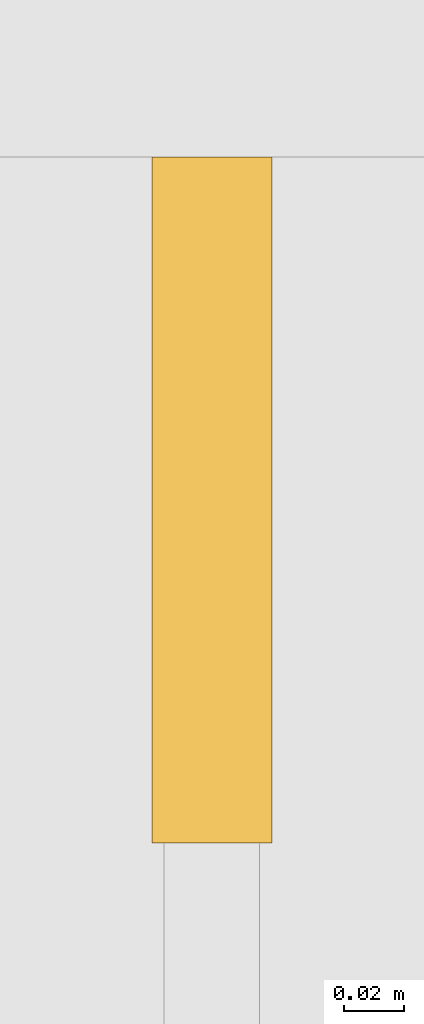
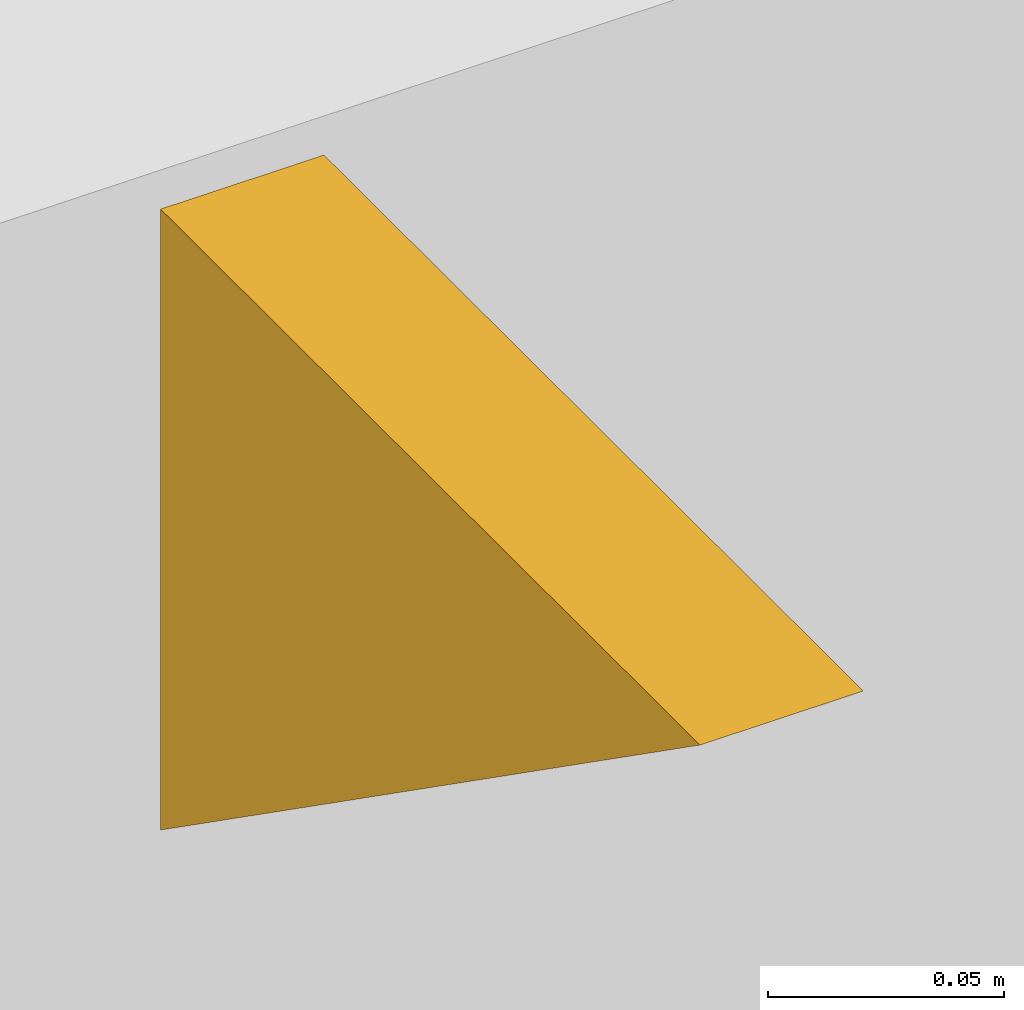
# One storey, part 14 of 17: 1 covering.
"""IFC4 building model written with IfcOpenShell, lengths in metres."""

from ifc_helpers import new_model, si_unit, direction, frame, origin, place, context, subcontext, project, spatial, polyline, outline, extrude, material, layer, layer_set, type_object, element, save


model = new_model("IFC4")

# Units and contexts
model_context = context("Model", 3, precision=1e-05, world=origin(), true_north=direction((0.0, 1.0)))
body_context = subcontext(model_context, "Body", "Model", "MODEL_VIEW")
ifc_project = project(units=[si_unit("LENGTHUNIT", "METRE"), si_unit("AREAUNIT", "SQUARE_METRE"), si_unit("VOLUMEUNIT", "CUBIC_METRE"), si_unit("PLANEANGLEUNIT", "RADIAN"), si_unit("MASSUNIT", "GRAM", prefix="KILO")], contexts=[model_context])

# Site, building, storey
site_placement = place(None, origin())
site = spatial("IfcSite", under=ifc_project, at=site_placement, CompositionType="ELEMENT")
building_placement = place(site_placement, origin())
building = spatial("IfcBuilding", under=site, at=building_placement, Name="Malebo Sky Hospital", CompositionType="ELEMENT")
storey_placement = place(building_placement, frame((0.0, 0.0, 185.0)))
storey = spatial("IfcBuildingStorey", under=building, at=storey_placement, Name="L44", CompositionType="ELEMENT", Elevation=185.0)

# Covering
ifc_material = material(Name="Anodised aluminium, natural silver insulated infill panel", Category="aluminium")
ifc_layer = layer(ifc_material, 0.0400390625)
ifc_layer_set = layer_set([ifc_layer], Name="BRACE INFILL PANEL 40")
covering_type = type_object("IfcCoveringType", Name="BRACE INFILL PANEL 40", PredefinedType="CLADDING", material=ifc_layer_set)
covering_placement = place(storey_placement, frame((37.425048828125, 67.847900390625, 3.8291015625), z_axis=(0.0, 0.0, 1.0), x_axis=(0.0, 1.0, 0.0)))
element("IfcCovering", 1, at=covering_placement, inside=storey, type_object=covering_type, Name="Brace infill panel 9.1", PredefinedType="CLADDING", context=body_context, shape_type="SweptSolid", body=[
    extrude(outline(polyline([(0.114501953125, 0.0), (0.114501953125, 0.160888671875), (-0.114501953125, 0.160888671875), (0.114501953125, 0.0)])), frame((0.0, 0.02001953125, 0.0), z_axis=(0.0, -1.0, 0.0), x_axis=(1.0, 0.0, 0.0)), (0.0, 0.0, 1.0), 0.0400390625),
])

save(model, "model.ifc")
